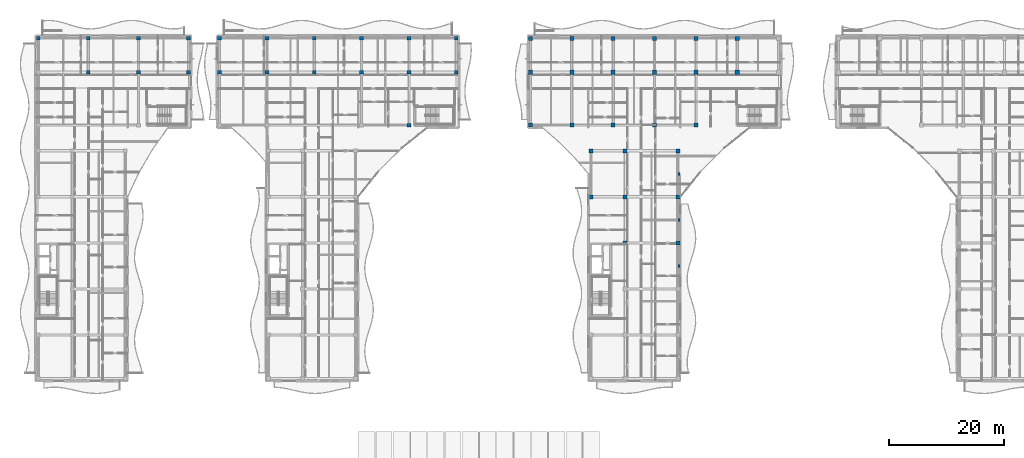
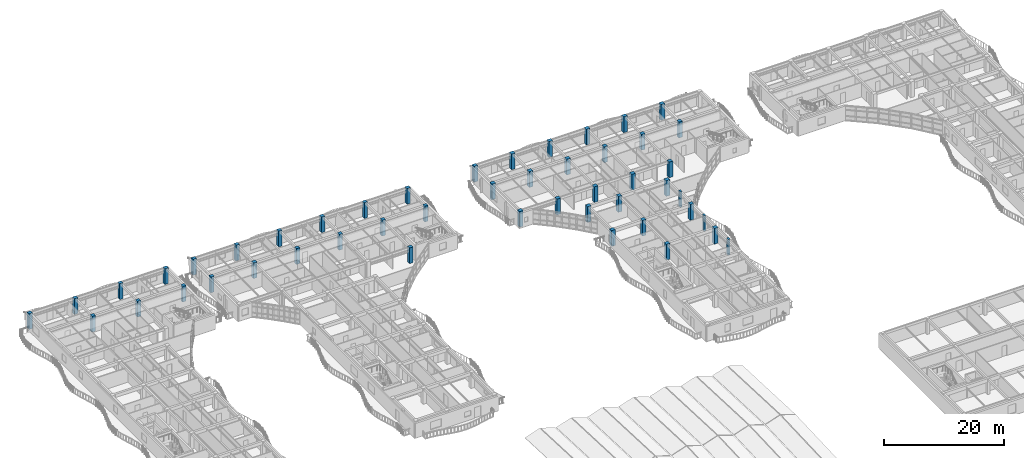
# One storey, part 2 of 89: 48 columns.
"""IFC4 building model written with IfcOpenShell, lengths in metres."""

from ifc_helpers import new_model, si_unit, direction, frame, origin, origin_2d, place, context, subcontext, project, spatial, rectangle, extrude, material, material_profile, profile_set, type_object, element, save


model = new_model("IFC4")

# Units and contexts
model_context = context("Model", 3, precision=1e-05, world=origin(), true_north=direction((0.0, 1.0)))
body_context = subcontext(model_context, "Body", "Model", "MODEL_VIEW")
ifc_project = project(units=[si_unit("LENGTHUNIT", "METRE"), si_unit("AREAUNIT", "SQUARE_METRE"), si_unit("VOLUMEUNIT", "CUBIC_METRE"), si_unit("PLANEANGLEUNIT", "RADIAN"), si_unit("MASSUNIT", "GRAM", prefix="KILO")], contexts=[model_context])

# Site, building, storey
site_placement = place(None, origin())
site = spatial("IfcSite", under=ifc_project, at=site_placement, CompositionType="ELEMENT")
building_placement = place(site_placement, origin())
building = spatial("IfcBuilding", under=site, at=building_placement, Name="Keldmere Railside Commons", CompositionType="ELEMENT")
storey_placement = place(building_placement, frame((0.0, 0.0, 7.360107421875)))
storey = spatial("IfcBuildingStorey", under=building, at=storey_placement, Name="L02", CompositionType="ELEMENT", Elevation=7.360107421875)

# Columns
ifc_material_1 = material(Name="Architectural Precast Concrete H-35 (C35/45)", Category="concrete")
ifc_material_profile_1 = material_profile(ifc_material_1, rectangle(XDim=0.35009765625, YDim=0.550048828125, at=origin_2d()), Name="RC-350x550")
ifc_profile_set_1 = profile_set([ifc_material_profile_1], Name="Architectural Precast Concrete H-35 (C35/45)")
column_type_1 = type_object("IfcColumnType", Name="Facade Precast Pilaster Column 350x550", PredefinedType="PILASTER", material=ifc_profile_set_1)
for number, where, z_axis, x_axis, name in (
    (1, (119.780029296875, 76.0, 0.0), (0.0, 0.0, 1.0), (1.0, 0.0, 0.0), "C-PIL COL-L02-1217"),
    (2, (119.780029296875, 84.0, 0.0), (0.0, 0.0, 1.0), (1.0, 0.0, 0.0), "C-PIL COL-L02-1222"),
    (3, (119.780029296875, 92.0, 0.0), (0.0, 0.0, 1.0), (1.0, 0.0, 0.0), "C-PIL COL-L02-1227"),
):
    element("IfcColumn", number, at=place(storey_placement, frame(where, z_axis=z_axis, x_axis=x_axis)), inside=storey, type_object=column_type_1, Name=name, PredefinedType="PILASTER", context=body_context, shape_type="SweptSolid", body=[
        extrude(rectangle(XDim=0.35009765625, YDim=0.550048828125, at=origin_2d()), origin(), (0.0, 0.0, 1.0), 3.199951171875),
    ])
ifc_material_2 = material(Name="Concrete H-40 (C40/50)", Category="concrete")
ifc_material_profile_2 = material_profile(ifc_material_2, rectangle(XDim=0.699951171875, YDim=0.699951171875, at=origin_2d()), Name="RC-700x700")
ifc_profile_set_2 = profile_set([ifc_material_profile_2], Name="Concrete H-40 (C40/50)")
column_type_2 = type_object("IfcColumnType", Name="Lower Residential RC Column 700x700", PredefinedType="COLUMN", material=ifc_profile_set_2)
for number, where, z_axis, x_axis, name in (
    (4, (93.949951171875, 100.449951171875, 0.0), (0.0, 0.0, 1.0), (1.0, 0.0, 0.0), "C-700 COL-L02-0812"),
    (5, (93.949951171875, 109.64990234375, 0.0), (0.0, 0.0, 1.0), (1.0, 0.0, 0.0), "C-700 COL-L02-0826"),
    (6, (93.949951171875, 115.550048828125, 0.0), (0.0, 0.0, 1.0), (1.0, 0.0, 0.0), "C-700 COL-L02-0839"),
    (7, (101.133056640625, 100.449951171875, 0.0), (0.0, 0.0, 1.0), (1.0, 0.0, 0.0), "C-700 COL-L02-0881"),
    (8, (101.133056640625, 109.64990234375, 0.0), (0.0, 0.0, 1.0), (1.0, 0.0, 0.0), "C-700 COL-L02-0895"),
    (9, (101.133056640625, 115.550048828125, 0.0), (0.0, 0.0, 1.0), (1.0, 0.0, 0.0), "C-700 COL-L02-0908"),
    (10, (104.449951171875, 88.0, 0.0), (0.0, 0.0, 1.0), (1.0, 0.0, 0.0), "C-700 COL-L02-0944"),
    (11, (104.449951171875, 96.0, 0.0), (0.0, 0.0, 1.0), (1.0, 0.0, 0.0), "C-700 COL-L02-0957"),
    (12, (108.31689453125, 100.449951171875, 0.0), (0.0, 0.0, 1.0), (1.0, 0.0, 0.0), "C-700 COL-L02-0981"),
    (13, (108.31689453125, 109.64990234375, 0.0), (0.0, 0.0, 1.0), (1.0, 0.0, 0.0), "C-700 COL-L02-0995"),
    (14, (108.31689453125, 115.550048828125, 0.0), (0.0, 0.0, 1.0), (1.0, 0.0, 0.0), "C-700 COL-L02-1008"),
    (15, (110.35009765625, 80.0, 0.0), (0.0, 0.0, 1.0), (1.0, 0.0, 0.0), "C-700 COL-L02-1051"),
    (16, (110.35009765625, 88.0, 0.0), (0.0, 0.0, 1.0), (1.0, 0.0, 0.0), "C-700 COL-L02-1064"),
    (17, (110.35009765625, 96.0, 0.0), (0.0, 0.0, 1.0), (1.0, 0.0, 0.0), "C-700 COL-L02-1077"),
    (18, (115.5, 100.449951171875, 0.0), (0.0, 0.0, 1.0), (1.0, 0.0, 0.0), "C-700 COL-L02-1098"),
    (19, (115.5, 109.64990234375, 0.0), (0.0, 0.0, 1.0), (1.0, 0.0, 0.0), "C-700 COL-L02-1112"),
    (20, (115.5, 115.550048828125, 0.0), (0.0, 0.0, 1.0), (1.0, 0.0, 0.0), "C-700 COL-L02-1125"),
    (21, (119.550048828125, 80.0, 0.0), (0.0, 0.0, 1.0), (1.0, 0.0, 0.0), "C-700 COL-L02-1168"),
    (22, (119.550048828125, 88.0, 0.0), (0.0, 0.0, 1.0), (1.0, 0.0, 0.0), "C-700 COL-L02-1181"),
    (23, (119.550048828125, 96.0, 0.0), (0.0, 0.0, 1.0), (1.0, 0.0, 0.0), "C-700 COL-L02-1194"),
    (24, (122.68310546875, 100.449951171875, 0.0), (0.0, 0.0, 1.0), (1.0, 0.0, 0.0), "C-700 COL-L02-1236"),
    (25, (122.68310546875, 109.64990234375, 0.0), (0.0, 0.0, 1.0), (1.0, 0.0, 0.0), "C-700 COL-L02-1250"),
    (26, (122.68310546875, 115.550048828125, 0.0), (0.0, 0.0, 1.0), (1.0, 0.0, 0.0), "C-700 COL-L02-1263"),
    (27, (129.866943359375, 109.64990234375, 0.0), (0.0, 0.0, 1.0), (1.0, 0.0, 0.0), "C-700 COL-L02-1295"),
    (28, (129.866943359375, 115.550048828125, 0.0), (0.0, 0.0, 1.0), (1.0, 0.0, 0.0), "C-700 COL-L02-1308"),
):
    element("IfcColumn", number, at=place(storey_placement, frame(where, z_axis=z_axis, x_axis=x_axis)), inside=storey, type_object=column_type_2, Name=name, PredefinedType="COLUMN", context=body_context, shape_type="SweptSolid", body=[
        extrude(rectangle(XDim=0.699951171875, YDim=0.699951171875, at=origin_2d()), origin(), (0.0, 0.0, 1.0), 3.199951171875),
    ])
ifc_material_profile_3 = material_profile(ifc_material_2, rectangle(XDim=0.64990234375, YDim=0.64990234375, at=origin_2d()), Name="RC-650x650")
ifc_profile_set_3 = profile_set([ifc_material_profile_3], Name="Concrete H-40 (C40/50)")
column_type_3 = type_object("IfcColumnType", Name="Podium RC Column 650x650", PredefinedType="COLUMN", material=ifc_profile_set_3)
for number, where, z_axis, x_axis, name in (
    (29, (8.449951171875, 115.550048828125, 0.0), (0.0, 0.0, 1.0), (1.0, 0.0, 0.0), "C-650 COL-L02-0093"),
    (30, (17.14990234375, 109.64990234375, 0.0), (0.0, 0.0, 1.0), (1.0, 0.0, 0.0), "C-650 COL-L02-0168"),
    (31, (17.14990234375, 115.550048828125, 0.0), (0.0, 0.0, 1.0), (1.0, 0.0, 0.0), "C-650 COL-L02-0177"),
    (32, (25.85009765625, 109.64990234375, 0.0), (0.0, 0.0, 1.0), (1.0, 0.0, 0.0), "C-650 COL-L02-0259"),
    (33, (25.85009765625, 115.550048828125, 0.0), (0.0, 0.0, 1.0), (1.0, 0.0, 0.0), "C-650 COL-L02-0268"),
    (34, (34.550048828125, 109.64990234375, 0.0), (0.0, 0.0, 1.0), (1.0, 0.0, 0.0), "C-650 COL-L02-0303"),
    (35, (34.550048828125, 115.550048828125, 0.0), (0.0, 0.0, 1.0), (1.0, 0.0, 0.0), "C-650 COL-L02-0312"),
    (36, (39.949951171875, 109.64990234375, 0.0), (0.0, 0.0, 1.0), (1.0, 0.0, 0.0), "C-650 COL-L02-0350"),
    (37, (39.949951171875, 115.550048828125, 0.0), (0.0, 0.0, 1.0), (1.0, 0.0, 0.0), "C-650 COL-L02-0361"),
    (38, (48.169921875, 109.64990234375, 0.0), (0.0, 0.0, 1.0), (1.0, 0.0, 0.0), "C-650 COL-L02-0400"),
    (39, (48.169921875, 115.550048828125, 0.0), (0.0, 0.0, 1.0), (1.0, 0.0, 0.0), "C-650 COL-L02-0411"),
    (40, (56.389892578125, 109.64990234375, 0.0), (0.0, 0.0, 1.0), (1.0, 0.0, 0.0), "C-650 COL-L02-0542"),
    (41, (56.389892578125, 115.550048828125, 0.0), (0.0, 0.0, 1.0), (1.0, 0.0, 0.0), "C-650 COL-L02-0553"),
    (42, (64.610107421875, 109.64990234375, 0.0), (0.0, 0.0, 1.0), (1.0, 0.0, 0.0), "C-650 COL-L02-0654"),
    (43, (64.610107421875, 115.550048828125, 0.0), (0.0, 0.0, 1.0), (1.0, 0.0, 0.0), "C-650 COL-L02-0665"),
    (44, (72.830078125, 100.449951171875, 0.0), (0.0, 0.0, 1.0), (1.0, 0.0, 0.0), "C-650 COL-L02-0687"),
    (45, (72.830078125, 109.64990234375, 0.0), (0.0, 0.0, 1.0), (1.0, 0.0, 0.0), "C-650 COL-L02-0699"),
    (46, (72.830078125, 115.550048828125, 0.0), (0.0, 0.0, 1.0), (1.0, 0.0, 0.0), "C-650 COL-L02-0710"),
    (47, (81.050048828125, 109.64990234375, 0.0), (0.0, 0.0, 1.0), (1.0, 0.0, 0.0), "C-650 COL-L02-0752"),
    (48, (81.050048828125, 115.550048828125, 0.0), (0.0, 0.0, 1.0), (1.0, 0.0, 0.0), "C-650 COL-L02-0763"),
):
    element("IfcColumn", number, at=place(storey_placement, frame(where, z_axis=z_axis, x_axis=x_axis)), inside=storey, type_object=column_type_3, Name=name, PredefinedType="COLUMN", context=body_context, shape_type="SweptSolid", body=[
        extrude(rectangle(XDim=0.64990234375, YDim=0.64990234375, at=origin_2d()), origin(), (0.0, 0.0, 1.0), 3.199951171875),
    ])

save(model, "model.ifc")
